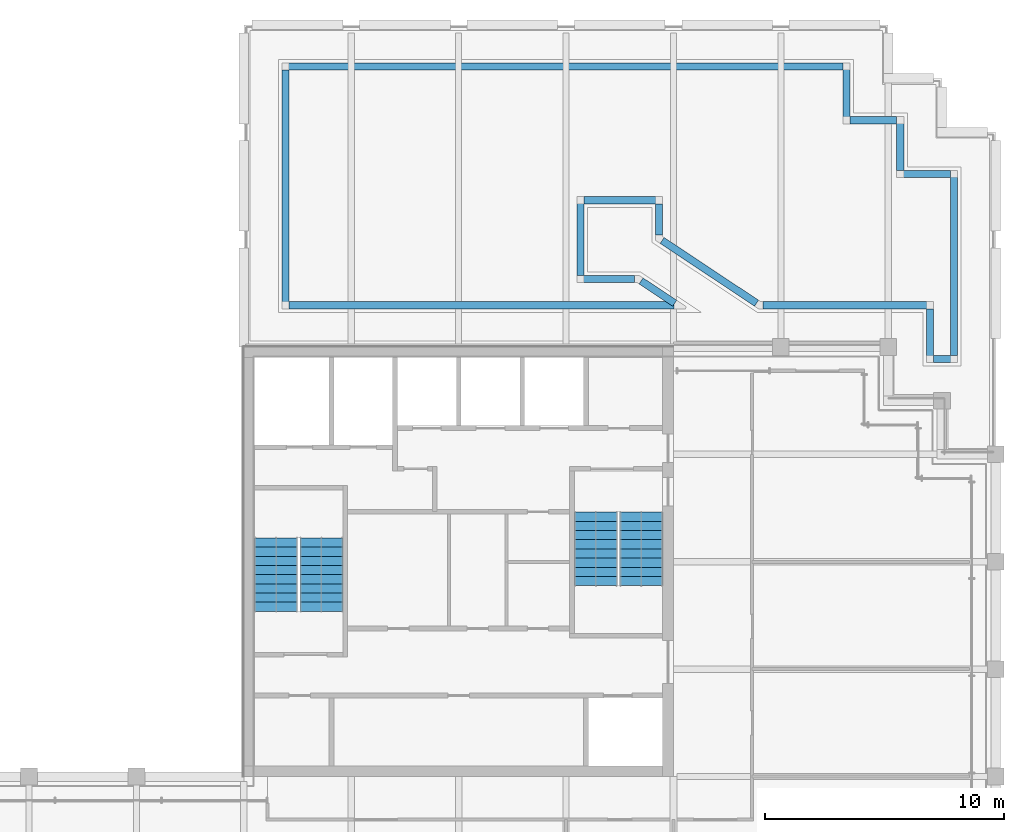
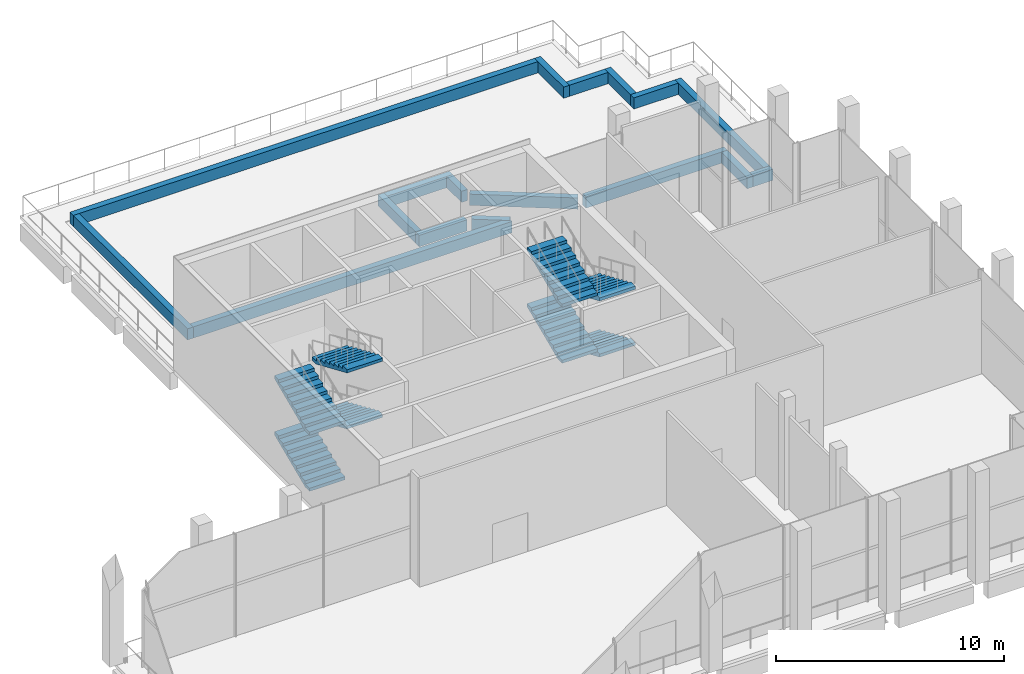
# One storey, part 13 of 15: 17 walls, 8 stair flights, 2 elements without a shape of their own.
"""IFC4 building model written with IfcOpenShell, lengths in metres."""

from ifc_helpers import new_model, si_unit, direction, frame, frame_2d, origin, place, context, subcontext, project, spatial, polyline, rectangle, outline, extrude, material, layer, layer_set, type_object, element, aggregate, save


model = new_model("IFC4")

# Units and contexts
model_context = context("Model", 3, precision=1e-05, world=origin(), true_north=direction((0.0, 1.0)))
body_context = subcontext(model_context, "Body", "Model", "MODEL_VIEW")
ifc_project = project(units=[si_unit("LENGTHUNIT", "METRE"), si_unit("AREAUNIT", "SQUARE_METRE"), si_unit("VOLUMEUNIT", "CUBIC_METRE"), si_unit("PLANEANGLEUNIT", "RADIAN"), si_unit("MASSUNIT", "GRAM", prefix="KILO")], contexts=[model_context])

# Site, building, storey
site_placement = place(None, origin())
site = spatial("IfcSite", under=ifc_project, at=site_placement, CompositionType="ELEMENT")
building_placement = place(site_placement, origin())
building = spatial("IfcBuilding", under=site, at=building_placement, Name="Altepetl Exchange Towers", CompositionType="ELEMENT")
storey_placement = place(building_placement, frame((0.0, 0.0, 263.60009765625)))
storey = spatial("IfcBuildingStorey", under=building, at=storey_placement, Name="L67 Observation deck", CompositionType="ELEMENT", Elevation=263.60009765625)

# Walls
ifc_material_1 = material(Name="Concrete C30/37", Category="concrete")
ifc_layer = layer(ifc_material_1, 0.300048828125)
ifc_layer_set = layer_set([ifc_layer], Name="Concrete C30/37")
wall_type = type_object("IfcWallType", Name="Planter wall 300 concrete", PredefinedType="SOLIDWALL", material=ifc_layer_set)
wall_1_placement = place(storey_placement, frame((65.75, 67.85009765625, 0.0), z_axis=(0.0, 0.0, 1.0), x_axis=(0.0, 1.0, 0.0)))
element("IfcWall", 1, at=wall_1_placement, inside=storey, type_object=wall_type, Name="Planter bed wall", PredefinedType="SOLIDWALL", context=body_context, shape_type="SweptSolid", body=[
    extrude(rectangle(XDim=2.5498046875, YDim=0.300048828125, at=frame_2d((1.27490234375, 0.0))), origin(), (0.0, 0.0, 1.0), 0.599853515625),
])
wall_2_placement = place(storey_placement, frame((65.60009765625, 70.25, 0.0), z_axis=(0.0, 0.0, 1.0), x_axis=(-1.0, 0.0, 0.0)))
element("IfcWall", 2, at=wall_2_placement, inside=storey, type_object=wall_type, Name="Planter bed wall", PredefinedType="SOLIDWALL", context=body_context, shape_type="SweptSolid", body=[
    extrude(rectangle(XDim=23.5, YDim=0.300048828125, at=frame_2d((11.75, 0.0))), origin(), (0.0, 0.0, 1.0), 0.599853515625),
])
wall_3_placement = place(storey_placement, frame((42.25, 70.10009765625, 0.0), z_axis=(0.0, 0.0, 1.0), x_axis=(0.0, -1.0, 0.0)))
element("IfcWall", 3, at=wall_3_placement, inside=storey, type_object=wall_type, Name="Planter bed wall", PredefinedType="SOLIDWALL", context=body_context, shape_type="SweptSolid", body=[
    extrude(rectangle(XDim=10.0, YDim=0.300048828125, at=frame_2d((5.0, 0.0))), origin(), (0.0, 0.0, 1.0), 0.599853515625),
])
wall_4_placement = place(storey_placement, frame((42.39990234375, 60.25, 0.0)))
element("IfcWall", 4, at=wall_4_placement, inside=storey, type_object=wall_type, Name="Planter bed wall", PredefinedType="SOLIDWALL", context=body_context, shape_type="SweptSolid", body=[
    extrude(rectangle(XDim=16.12353515625, YDim=0.300048828125, at=frame_2d((8.061767578125, 0.0))), origin(), (0.0, 0.0, 1.0), 0.599853515625),
])
wall_5_placement = place(storey_placement, frame((58.548583984375, 60.3330078125, 0.0), z_axis=(0.0, 0.0, 1.0), x_axis=(-0.83302781468, 0.553231109003, 0.0)))
element("IfcWall", 5, at=wall_5_placement, inside=storey, type_object=wall_type, Name="Planter bed wall", PredefinedType="SOLIDWALL", context=body_context, shape_type="SweptSolid", body=[
    extrude(rectangle(XDim=1.6884765625, YDim=0.300048828125, at=frame_2d((0.84423828125, 0.0))), origin(), (0.0, 0.0, 1.0), 0.599853515625),
])
wall_6_placement = place(storey_placement, frame((56.8671875, 61.35009765625, 0.0), z_axis=(0.0, 0.0, 1.0), x_axis=(-1.0, 0.0, 0.0)))
element("IfcWall", 6, at=wall_6_placement, inside=storey, type_object=wall_type, Name="Planter bed wall", PredefinedType="SOLIDWALL", context=body_context, shape_type="SweptSolid", body=[
    extrude(rectangle(XDim=2.417236328125, YDim=0.300048828125, at=frame_2d((1.20849609375, 0.0))), origin(), (0.0, 0.0, 1.0), 0.599853515625),
])
wall_7_placement = place(storey_placement, frame((54.60009765625, 61.5, 0.0), z_axis=(0.0, 0.0, 1.0), x_axis=(0.0, 1.0, 0.0)))
element("IfcWall", 7, at=wall_7_placement, inside=storey, type_object=wall_type, Name="Planter bed wall", PredefinedType="SOLIDWALL", context=body_context, shape_type="SweptSolid", body=[
    extrude(rectangle(XDim=3.300048828125, YDim=0.300048828125, at=frame_2d((1.64990234375, 0.0))), origin(), (0.0, 0.0, 1.0), 0.599853515625),
])
wall_8_placement = place(storey_placement, frame((54.75, 64.64990234375, 0.0)))
element("IfcWall", 8, at=wall_8_placement, inside=storey, type_object=wall_type, Name="Planter bed wall", PredefinedType="SOLIDWALL", context=body_context, shape_type="SweptSolid", body=[
    extrude(rectangle(XDim=3.300048828125, YDim=0.300048828125, at=frame_2d((1.64990234375, 0.0))), origin(), (0.0, 0.0, 1.0), 0.599853515625),
])
wall_9_placement = place(storey_placement, frame((57.89990234375, 64.5, 0.0), z_axis=(0.0, 0.0, 1.0), x_axis=(0.0, -1.0, 0.0)))
element("IfcWall", 9, at=wall_9_placement, inside=storey, type_object=wall_type, Name="Planter bed wall", PredefinedType="SOLIDWALL", context=body_context, shape_type="SweptSolid", body=[
    extrude(rectangle(XDim=1.305419921875, YDim=0.300048828125, at=frame_2d((0.65283203125, 0.0))), origin(), (0.0, 0.0, 1.0), 0.599853515625),
])
wall_10_placement = place(storey_placement, frame((58.02490234375, 62.961669921875, 0.0), z_axis=(0.0, 0.0, 1.0), x_axis=(0.833005612602, -0.553264538331, 0.0)))
element("IfcWall", 10, at=wall_10_placement, inside=storey, type_object=wall_type, Name="Planter bed wall", PredefinedType="SOLIDWALL", context=body_context, shape_type="SweptSolid", body=[
    extrude(rectangle(XDim=4.751220703125, YDim=0.300048828125, at=frame_2d((2.37548828125, 0.0))), origin(), (0.0, 0.0, 1.0), 0.599853515625),
])
wall_11_placement = place(storey_placement, frame((62.2578125, 60.25, 0.0)))
element("IfcWall", 11, at=wall_11_placement, inside=storey, type_object=wall_type, Name="Planter bed wall", PredefinedType="SOLIDWALL", context=body_context, shape_type="SweptSolid", body=[
    extrude(rectangle(XDim=7.14208984375, YDim=0.300048828125, at=frame_2d((3.571044921875, 0.0))), origin(), (0.0, 0.0, 1.0), 0.599853515625),
])
wall_12_placement = place(storey_placement, frame((69.25, 60.10009765625, 0.0), z_axis=(0.0, 0.0, 1.0), x_axis=(0.0, -1.0, 0.0)))
element("IfcWall", 12, at=wall_12_placement, inside=storey, type_object=wall_type, Name="Planter bed wall", PredefinedType="SOLIDWALL", context=body_context, shape_type="SweptSolid", body=[
    extrude(rectangle(XDim=2.25, YDim=0.300048828125, at=frame_2d((1.125, 0.0))), origin(), (0.0, 0.0, 1.0), 0.599853515625),
])
wall_13_placement = place(storey_placement, frame((69.39990234375, 58.0, 0.0)))
element("IfcWall", 13, at=wall_13_placement, inside=storey, type_object=wall_type, Name="Planter bed wall", PredefinedType="SOLIDWALL", context=body_context, shape_type="SweptSolid", body=[
    extrude(rectangle(XDim=1.0, YDim=0.300048828125, at=frame_2d((0.5, 0.0))), origin(), (0.0, 0.0, 1.0), 0.599853515625),
])
wall_14_placement = place(storey_placement, frame((70.25, 58.14990234375, 0.0), z_axis=(0.0, 0.0, 1.0), x_axis=(0.0, 1.0, 0.0)))
element("IfcWall", 14, at=wall_14_placement, inside=storey, type_object=wall_type, Name="Planter bed wall", PredefinedType="SOLIDWALL", context=body_context, shape_type="SweptSolid", body=[
    extrude(rectangle(XDim=7.75, YDim=0.300048828125, at=frame_2d((3.875, 0.0))), origin(), (0.0, 0.0, 1.0), 0.599853515625),
])
for number, where, z_axis, x_axis, name in (
    (15, (70.10009765625, 65.75, 0.0), (0.0, 0.0, 1.0), (-1.0, 0.0, 0.0), "Planter bed wall"),
    (16, (68.0, 65.89990234375, 0.0), (0.0, 0.0, 1.0), (0.0, 1.0, 0.0), "Planter bed wall"),
):
    element("IfcWall", number, at=place(storey_placement, frame(where, z_axis=z_axis, x_axis=x_axis)), inside=storey, type_object=wall_type, Name=name, PredefinedType="SOLIDWALL", context=body_context, shape_type="SweptSolid", body=[
        extrude(rectangle(XDim=2.25, YDim=0.300048828125, at=frame_2d((1.125, 0.0))), origin(), (0.0, 0.0, 1.0), 0.599853515625),
    ])
wall_15_placement = place(storey_placement, frame((67.85009765625, 68.0, 0.0), z_axis=(0.0, 0.0, 1.0), x_axis=(-1.0, 0.0, 0.0)))
element("IfcWall", 17, at=wall_15_placement, inside=storey, type_object=wall_type, Name="Planter bed wall", PredefinedType="SOLIDWALL", context=body_context, shape_type="SweptSolid", body=[
    extrude(rectangle(XDim=1.9501953125, YDim=0.300048828125, at=frame_2d((0.97509765625, 0.0))), origin(), (0.0, 0.0, 1.0), 0.599853515625),
])

# Stair, stair flights
ifc_material_2 = material(Name="Concrete C40/50", Category="concrete")
stair_type = type_object("IfcStairType", Name="Exit stair 1800 flights dogleg", PredefinedType="HALF_TURN_STAIR", material=ifc_material_2)
stair_1_placement = place(storey_placement, origin())
stair_1 = element("IfcStair", 18, at=stair_1_placement, inside=storey, type_object=stair_type, Name="Exit stair 1", PredefinedType="HALF_TURN_STAIR")
stair_flight_type = type_object("IfcStairFlightType", Name="Stair flight 1800 wide", PredefinedType="STRAIGHT", material=ifc_material_2)
stair_flight_1_placement = place(storey_placement, frame((41.85009765625, 47.419921875, 0.0), z_axis=(0.0, 0.0, 1.0), x_axis=(0.0, 1.0, 0.0)))
stair_flight_1 = element("IfcStairFlight", 19, at=stair_flight_1_placement, type_object=stair_flight_type, Name="ST-A1j flight 1", NumberOfRisers=9, NumberOfTreads=8, PredefinedType="STRAIGHT", RiserHeight=0.166666667, TreadLength=0.385, context=body_context, shape_type="SweptSolid", body=[
    extrude(outline(polyline([(0.0, 0.0), (0.0, 0.166748046875), (0.385009765625, 0.166748046875), (0.385009765625, 0.333251953125), (0.77001953125, 0.333251953125), (0.77001953125, 0.5), (1.155029296875, 0.5), (1.155029296875, 0.666748046875), (1.5400390625, 0.666748046875), (1.5400390625, 0.833251953125), (1.925048828125, 0.833251953125), (1.925048828125, 1.0), (2.31005859375, 1.0), (2.31005859375, 1.166748046875), (2.695068359375, 1.166748046875), (2.695068359375, 1.333251953125), (3.080078125, 1.333251953125), (3.080078125, 1.5), (3.080078125, 1.169921875), (0.37744140625, 0.0), (0.0, 0.0)])), frame((0.0, 0.89990234375, 0.0), z_axis=(0.0, -1.0, 0.0), x_axis=(1.0, 0.0, 0.0)), (0.0, 0.0, 1.0), 1.800048828125),
])
stair_flight_2_placement = place(storey_placement, frame((43.75, 50.5, 1.5), z_axis=(0.0, 0.0, 1.0), x_axis=(0.0, -1.0, 0.0)))
stair_flight_2 = element("IfcStairFlight", 20, at=stair_flight_2_placement, type_object=stair_flight_type, Name="ST-A1j flight 2", NumberOfRisers=9, NumberOfTreads=8, PredefinedType="STRAIGHT", RiserHeight=0.166666667, TreadLength=0.385, context=body_context, shape_type="SweptSolid", body=[
    extrude(outline(polyline([(0.0, 0.0), (0.0, 0.166748046875), (0.385009765625, 0.166748046875), (0.385009765625, 0.333251953125), (0.77001953125, 0.333251953125), (0.77001953125, 0.5), (1.155029296875, 0.5), (1.155029296875, 0.666748046875), (1.5400390625, 0.666748046875), (1.5400390625, 0.833251953125), (1.925048828125, 0.833251953125), (1.925048828125, 1.0), (2.31005859375, 1.0), (2.31005859375, 1.166748046875), (2.695068359375, 1.166748046875), (2.695068359375, 1.333251953125), (3.080078125, 1.333251953125), (3.080078125, 1.5), (3.080078125, 1.169921875), (0.37744140625, 0.0), (0.0, 0.0)])), frame((0.0, 0.89990234375, 0.0), z_axis=(0.0, -1.0, 0.0), x_axis=(1.0, 0.0, 0.0)), (0.0, 0.0, 1.0), 1.800048828125),
])
stair_flight_3_placement = place(storey_placement, frame((41.85009765625, 47.419921875, 3.0), z_axis=(0.0, 0.0, 1.0), x_axis=(0.0, 1.0, 0.0)))
stair_flight_3 = element("IfcStairFlight", 21, at=stair_flight_3_placement, type_object=stair_flight_type, Name="ST-A1j flight 3", NumberOfRisers=9, NumberOfTreads=8, PredefinedType="STRAIGHT", RiserHeight=0.166666667, TreadLength=0.385, context=body_context, shape_type="SweptSolid", body=[
    extrude(outline(polyline([(0.0, 0.0), (0.0, 0.166748046875), (0.385009765625, 0.166748046875), (0.385009765625, 0.333251953125), (0.77001953125, 0.333251953125), (0.77001953125, 0.5), (1.155029296875, 0.5), (1.155029296875, 0.666748046875), (1.5400390625, 0.666748046875), (1.5400390625, 0.833251953125), (1.925048828125, 0.833251953125), (1.925048828125, 1.0), (2.31005859375, 1.0), (2.31005859375, 1.166748046875), (2.695068359375, 1.166748046875), (2.695068359375, 1.333251953125), (3.080078125, 1.333251953125), (3.080078125, 1.5), (3.080078125, 1.169921875), (0.37744140625, 0.0), (0.0, 0.0)])), frame((0.0, 0.89990234375, 0.0), z_axis=(0.0, -1.0, 0.0), x_axis=(1.0, 0.0, 0.0)), (0.0, 0.0, 1.0), 1.800048828125),
])
stair_flight_4_placement = place(storey_placement, frame((43.75, 50.5, 4.5), z_axis=(0.0, 0.0, 1.0), x_axis=(0.0, -1.0, 0.0)))
stair_flight_4 = element("IfcStairFlight", 22, at=stair_flight_4_placement, type_object=stair_flight_type, Name="ST-A1j flight 4", NumberOfRisers=9, NumberOfTreads=8, PredefinedType="STRAIGHT", RiserHeight=0.166666667, TreadLength=0.385, context=body_context, shape_type="SweptSolid", body=[
    extrude(outline(polyline([(0.0, 0.0), (0.0, 0.166748046875), (0.385009765625, 0.166748046875), (0.385009765625, 0.333251953125), (0.77001953125, 0.333251953125), (0.77001953125, 0.5), (1.155029296875, 0.5), (1.155029296875, 0.666748046875), (1.5400390625, 0.666748046875), (1.5400390625, 0.833251953125), (1.925048828125, 0.833251953125), (1.925048828125, 1.0), (2.31005859375, 1.0), (2.31005859375, 1.166748046875), (2.695068359375, 1.166748046875), (2.695068359375, 1.333251953125), (3.080078125, 1.333251953125), (3.080078125, 1.5), (3.080078125, 1.169921875), (0.37744140625, 0.0), (0.0, 0.0)])), frame((0.0, 0.89990234375, 0.0), z_axis=(0.0, -1.0, 0.0), x_axis=(1.0, 0.0, 0.0)), (0.0, 0.0, 1.0), 1.800048828125),
])
aggregate(stair_1, [stair_flight_1, stair_flight_2, stair_flight_3, stair_flight_4])

stair_2_placement = place(storey_placement, origin())
stair_2 = element("IfcStair", 23, at=stair_2_placement, inside=storey, type_object=stair_type, Name="Exit stair 2", PredefinedType="HALF_TURN_STAIR")
stair_flight_5_placement = place(storey_placement, frame((57.14990234375, 51.580078125, 0.0), z_axis=(0.0, 0.0, 1.0), x_axis=(0.0, -1.0, 0.0)))
stair_flight_5 = element("IfcStairFlight", 24, at=stair_flight_5_placement, type_object=stair_flight_type, Name="ST-A2j flight 1", NumberOfRisers=9, NumberOfTreads=8, PredefinedType="STRAIGHT", RiserHeight=0.166666667, TreadLength=0.385, context=body_context, shape_type="SweptSolid", body=[
    extrude(outline(polyline([(0.0, 0.0), (0.0, 0.166748046875), (0.385009765625, 0.166748046875), (0.385009765625, 0.333251953125), (0.77001953125, 0.333251953125), (0.77001953125, 0.5), (1.155029296875, 0.5), (1.155029296875, 0.666748046875), (1.5400390625, 0.666748046875), (1.5400390625, 0.833251953125), (1.925048828125, 0.833251953125), (1.925048828125, 1.0), (2.31005859375, 1.0), (2.31005859375, 1.166748046875), (2.695068359375, 1.166748046875), (2.695068359375, 1.333251953125), (3.080078125, 1.333251953125), (3.080078125, 1.5), (3.080078125, 1.169921875), (0.37744140625, 0.0), (0.0, 0.0)])), frame((0.0, 0.89990234375, 0.0), z_axis=(0.0, -1.0, 0.0), x_axis=(1.0, 0.0, 0.0)), (0.0, 0.0, 1.0), 1.800048828125),
])
stair_flight_6_placement = place(storey_placement, frame((55.25, 48.5, 1.5), z_axis=(0.0, 0.0, 1.0), x_axis=(0.0, 1.0, 0.0)))
stair_flight_6 = element("IfcStairFlight", 25, at=stair_flight_6_placement, type_object=stair_flight_type, Name="ST-A2j flight 2", NumberOfRisers=9, NumberOfTreads=8, PredefinedType="STRAIGHT", RiserHeight=0.166666667, TreadLength=0.385, context=body_context, shape_type="SweptSolid", body=[
    extrude(outline(polyline([(0.0, 0.0), (0.0, 0.166748046875), (0.385009765625, 0.166748046875), (0.385009765625, 0.333251953125), (0.77001953125, 0.333251953125), (0.77001953125, 0.5), (1.155029296875, 0.5), (1.155029296875, 0.666748046875), (1.5400390625, 0.666748046875), (1.5400390625, 0.833251953125), (1.925048828125, 0.833251953125), (1.925048828125, 1.0), (2.31005859375, 1.0), (2.31005859375, 1.166748046875), (2.695068359375, 1.166748046875), (2.695068359375, 1.333251953125), (3.080078125, 1.333251953125), (3.080078125, 1.5), (3.080078125, 1.169921875), (0.37744140625, 0.0), (0.0, 0.0)])), frame((0.0, 0.89990234375, 0.0), z_axis=(0.0, -1.0, 0.0), x_axis=(1.0, 0.0, 0.0)), (0.0, 0.0, 1.0), 1.800048828125),
])
stair_flight_7_placement = place(storey_placement, frame((57.14990234375, 51.580078125, 3.0), z_axis=(0.0, 0.0, 1.0), x_axis=(0.0, -1.0, 0.0)))
stair_flight_7 = element("IfcStairFlight", 26, at=stair_flight_7_placement, type_object=stair_flight_type, Name="ST-A2j flight 3", NumberOfRisers=9, NumberOfTreads=8, PredefinedType="STRAIGHT", RiserHeight=0.166666667, TreadLength=0.385, context=body_context, shape_type="SweptSolid", body=[
    extrude(outline(polyline([(0.0, 0.0), (0.0, 0.166748046875), (0.385009765625, 0.166748046875), (0.385009765625, 0.333251953125), (0.77001953125, 0.333251953125), (0.77001953125, 0.5), (1.155029296875, 0.5), (1.155029296875, 0.666748046875), (1.5400390625, 0.666748046875), (1.5400390625, 0.833251953125), (1.925048828125, 0.833251953125), (1.925048828125, 1.0), (2.31005859375, 1.0), (2.31005859375, 1.166748046875), (2.695068359375, 1.166748046875), (2.695068359375, 1.333251953125), (3.080078125, 1.333251953125), (3.080078125, 1.5), (3.080078125, 1.169921875), (0.37744140625, 0.0), (0.0, 0.0)])), frame((0.0, 0.89990234375, 0.0), z_axis=(0.0, -1.0, 0.0), x_axis=(1.0, 0.0, 0.0)), (0.0, 0.0, 1.0), 1.800048828125),
])
stair_flight_8_placement = place(storey_placement, frame((55.25, 48.5, 4.5), z_axis=(0.0, 0.0, 1.0), x_axis=(0.0, 1.0, 0.0)))
stair_flight_8 = element("IfcStairFlight", 27, at=stair_flight_8_placement, type_object=stair_flight_type, Name="ST-A2j flight 4", NumberOfRisers=9, NumberOfTreads=8, PredefinedType="STRAIGHT", RiserHeight=0.166666667, TreadLength=0.385, context=body_context, shape_type="SweptSolid", body=[
    extrude(outline(polyline([(0.0, 0.0), (0.0, 0.166748046875), (0.385009765625, 0.166748046875), (0.385009765625, 0.333251953125), (0.77001953125, 0.333251953125), (0.77001953125, 0.5), (1.155029296875, 0.5), (1.155029296875, 0.666748046875), (1.5400390625, 0.666748046875), (1.5400390625, 0.833251953125), (1.925048828125, 0.833251953125), (1.925048828125, 1.0), (2.31005859375, 1.0), (2.31005859375, 1.166748046875), (2.695068359375, 1.166748046875), (2.695068359375, 1.333251953125), (3.080078125, 1.333251953125), (3.080078125, 1.5), (3.080078125, 1.169921875), (0.37744140625, 0.0), (0.0, 0.0)])), frame((0.0, 0.89990234375, 0.0), z_axis=(0.0, -1.0, 0.0), x_axis=(1.0, 0.0, 0.0)), (0.0, 0.0, 1.0), 1.800048828125),
])
aggregate(stair_2, [stair_flight_5, stair_flight_6, stair_flight_7, stair_flight_8])

save(model, "model.ifc")
